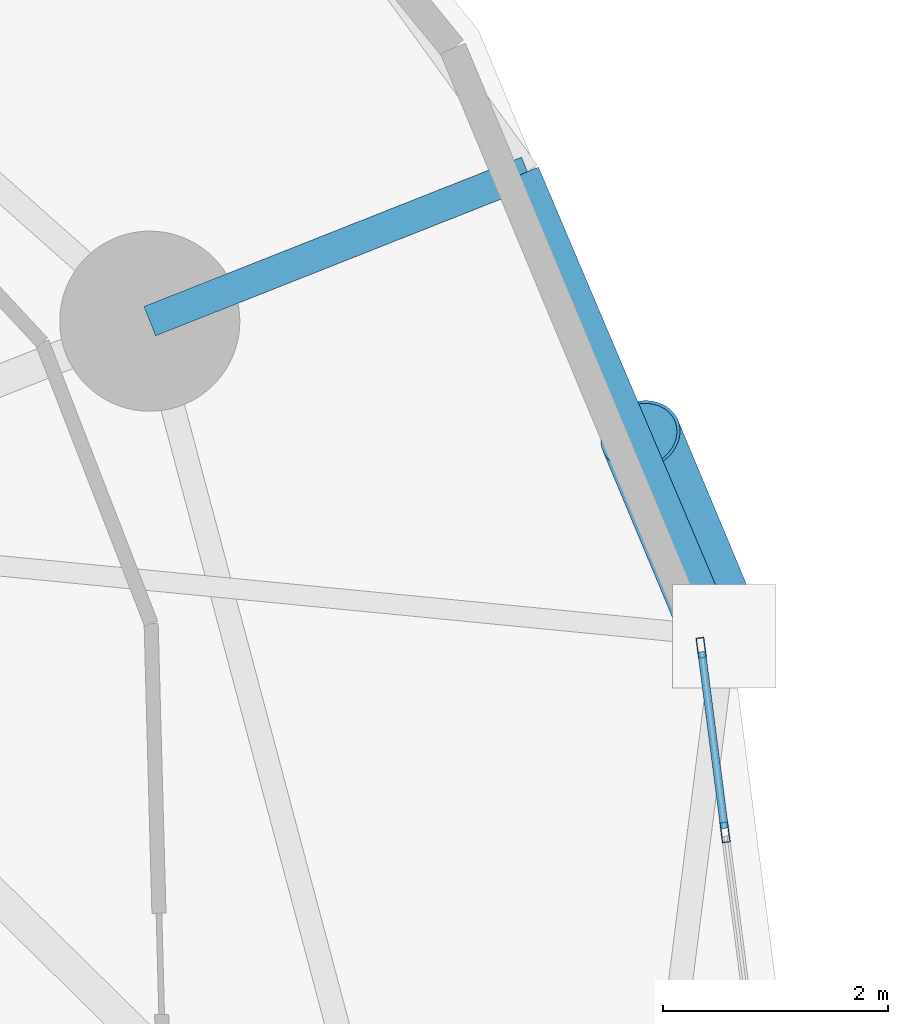
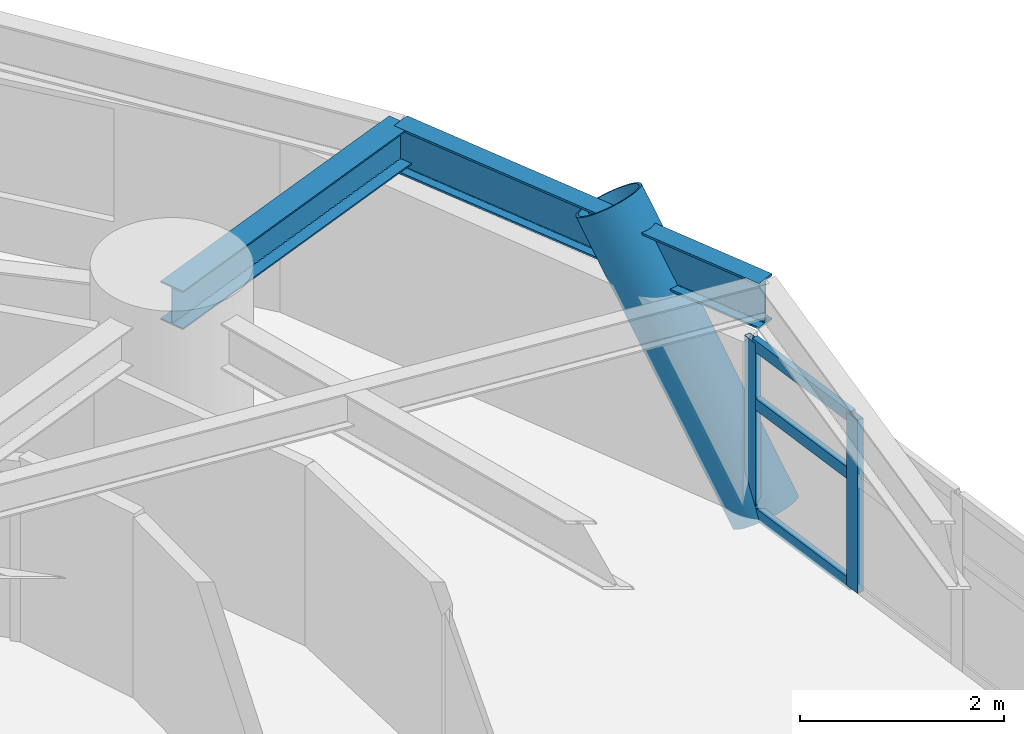
# One storey, part 4 of 20: 6 members, 2 beams, 1 element without a shape of its own.
"""IFC4 building model written with IfcOpenShell, lengths in metres."""

from ifc_helpers import new_model, si_unit, direction, frame, origin, origin_2d, place, context, subcontext, project, spatial, hollow_rectangle, hollow_circle, i_section, extrude, material, layer, layer_set, material_profile, profile_set, type_object, element, aggregate, save


model = new_model("IFC4")

# Units and contexts
model_context = context("Model", 3, precision=1e-05, world=origin(), true_north=direction((0.0, 1.0)))
body_context = subcontext(model_context, "Body", "Model", "MODEL_VIEW")
ifc_project = project(units=[si_unit("LENGTHUNIT", "METRE"), si_unit("AREAUNIT", "SQUARE_METRE"), si_unit("VOLUMEUNIT", "CUBIC_METRE"), si_unit("PLANEANGLEUNIT", "RADIAN"), si_unit("MASSUNIT", "GRAM", prefix="KILO")], contexts=[model_context])

# Site, building, storey
site_placement = place(None, origin())
site = spatial("IfcSite", under=ifc_project, at=site_placement, CompositionType="ELEMENT")
building_placement = place(site_placement, origin())
building = spatial("IfcBuilding", under=site, at=building_placement, Name="Cununo Teusaquillo Station Towers", CompositionType="ELEMENT")
storey_placement = place(building_placement, frame((0.0, 0.0, 39.4599609375)))
storey = spatial("IfcBuildingStorey", under=building, at=storey_placement, Name="L11", CompositionType="ELEMENT", Elevation=39.4599609375)

# Beams
ifc_material_1 = material(Name="Steel ASTM A572 Grade 50", Category="steel")
ifc_material_profile_1 = material_profile(ifc_material_1, i_section(OverallWidth=0.280029296875, OverallDepth=0.462890625, WebThickness=0.0107421875, FlangeThickness=0.017333984375, FilletRadius=0.013916015625, at=origin_2d()), Name="W18X76")
ifc_profile_set_1 = profile_set([ifc_material_profile_1], Name="Steel ASTM A572 Grade 50")
beam_type_1 = type_object("IfcBeamType", Name="BM-RAD-G1", PredefinedType="BEAM", material=ifc_profile_set_1)
beam_1_placement = place(storey_placement, frame((26.347412109375, 33.228515625, 2.41845703125), z_axis=(0.92986596044, 0.367898485476, 0.0), x_axis=(-0.367898485476, 0.92986596044, 0.0)))
element("IfcBeam", 1, at=beam_1_placement, inside=storey, type_object=beam_type_1, Name="L11 Tower A Perimeter Overhang Girder 02B", PredefinedType="BEAM", context=body_context, shape_type="SweptSolid", body=[
    extrude(i_section(OverallWidth=0.280029296875, OverallDepth=0.462890625, WebThickness=0.0107421875, FlangeThickness=0.017333984375, FilletRadius=0.013916015625, at=origin_2d()), origin(), (0.0, 0.0, 1.0), 3.606689453125),
])
ifc_material_2 = material(Name="Steel ASTM A572 Grade 50", Category="steel")
ifc_material_profile_2 = material_profile(ifc_material_2, i_section(OverallWidth=0.214111328125, OverallDepth=0.549072265625, WebThickness=0.0146484375, FlangeThickness=0.023681640625, FilletRadius=0.014892578125, at=origin_2d()), Name="W21X93")
ifc_profile_set_2 = profile_set([ifc_material_profile_2], Name="Steel ASTM A572 Grade 50")
beam_type_2 = type_object("IfcBeamType", Name="BM-RING-Z1", PredefinedType="SPANDREL", material=ifc_profile_set_2)
beam_2_placement = place(storey_placement, frame((31.44970703125, 30.429931640625, 2.37548828125), z_axis=(-0.390233589069, 0.920715887754, 0.0), x_axis=(-0.920715887754, -0.390233589069, 0.0)))
element("IfcBeam", 2, at=beam_2_placement, inside=storey, type_object=beam_type_2, Name="L11 Tower A Spandrel Ring Beam 02", PredefinedType="SPANDREL", context=body_context, shape_type="SweptSolid", body=[
    extrude(i_section(OverallWidth=0.214111328125, OverallDepth=0.549072265625, WebThickness=0.0146484375, FlangeThickness=0.023681640625, FilletRadius=0.014892578125, at=origin_2d()), origin(), (0.0, 0.0, 1.0), 4.480712890625),
])

# Curtain wall, members
ifc_material_3 = material(Name="Ceramic-fritted dark low-E double glazing", Category="glass")
ifc_layer = layer(ifc_material_3, 0.179931640625)
ifc_layer_set = layer_set([ifc_layer], Name="Ceramic-fritted dark low-E double glazing")
curtain_wall_type = type_object("IfcCurtainWallType", Name="CW-SYS-02", PredefinedType="USERDEFINED", material=ifc_layer_set)
curtain_wall_placement = place(storey_placement, origin())
curtain_wall = element("IfcCurtainWall", 3, at=curtain_wall_placement, inside=storey, type_object=curtain_wall_type, Name="L11 Tower A Facade Curtain Wall C00", ObjectType="FRITTED GLAZING", PredefinedType="USERDEFINED")
ifc_material_4 = material(Name="Anodised dark bronze aluminium EN AW-6063-T6", Category="aluminium")
ifc_material_profile_3 = material_profile(ifc_material_4, hollow_rectangle(XDim=0.070068359375, YDim=0.179931640625, WallThickness=0.00390625, at=origin_2d()), Name="CW-MULL-70x180")
ifc_profile_set_3 = profile_set([ifc_material_profile_3], Name="Anodised dark bronze aluminium EN AW-6063-T6")
member_type_1 = type_object("IfcMemberType", Name="CWM-180", PredefinedType="MULLION", material=ifc_profile_set_3)
member_1_placement = place(storey_placement, frame((31.244873046875, 30.327392578125, 0.0), z_axis=(0.0, 0.0, 1.0), x_axis=(0.991730798481, 0.128335588771, 0.0)))
member_1 = element("IfcMember", 4, at=member_1_placement, type_object=member_type_1, Name="CW-02 mullion 1", PredefinedType="MULLION", context=body_context, shape_type="SweptSolid", body=[
    extrude(hollow_rectangle(XDim=0.070068359375, YDim=0.179931640625, WallThickness=0.00390625, at=origin_2d()), origin(), (0.0, 0.0, 1.0), 2.072998046875),
])
member_2_placement = place(storey_placement, frame((31.456787109375, 28.68896484375, 0.0), z_axis=(0.0, 0.0, 1.0), x_axis=(0.991730798481, 0.128335588771, 0.0)))
member_2 = element("IfcMember", 5, at=member_2_placement, type_object=member_type_1, Name="CW-02 mullion 2", PredefinedType="MULLION", context=body_context, shape_type="SweptSolid", body=[
    extrude(hollow_rectangle(XDim=0.070068359375, YDim=0.179931640625, WallThickness=0.00390625, at=origin_2d()), origin(), (0.0, 0.0, 1.0), 2.072998046875),
])
ifc_material_5 = material(Name="Anodised dark bronze aluminium EN AW-6063-T6", Category="aluminium")
ifc_material_profile_4 = material_profile(ifc_material_5, hollow_rectangle(XDim=0.070068359375, YDim=0.139892578125, WallThickness=0.00390625, at=origin_2d()), Name="CW-TRAN-70x140")
ifc_profile_set_4 = profile_set([ifc_material_profile_4], Name="Anodised dark bronze aluminium EN AW-6063-T6")
member_type_2 = type_object("IfcMemberType", Name="CWT-140", PredefinedType="USERDEFINED", material=ifc_profile_set_4)
member_3_placement = place(storey_placement, frame((31.249267578125, 30.292724609375, 0.03515625), z_axis=(0.128402247984, -0.991722170123, 0.0), x_axis=(0.991722170123, 0.128402247984, 0.0)))
member_3 = element("IfcMember", 6, at=member_3_placement, type_object=member_type_2, Name="CW-02 transom 1.1", ObjectType="TRANSOM", PredefinedType="USERDEFINED", context=body_context, shape_type="SweptSolid", body=[
    extrude(hollow_rectangle(XDim=0.070068359375, YDim=0.139892578125, WallThickness=0.00390625, at=origin_2d()), origin(), (0.0, 0.0, 1.0), 1.58203125),
])
member_4_placement = place(storey_placement, frame((31.249267578125, 30.292724609375, 1.346923828125), z_axis=(0.128402247984, -0.991722170123, 0.0), x_axis=(0.991722170123, 0.128402247984, 0.0)))
member_4 = element("IfcMember", 7, at=member_4_placement, type_object=member_type_2, Name="CW-02 transom 1.2", ObjectType="TRANSOM", PredefinedType="USERDEFINED", context=body_context, shape_type="SweptSolid", body=[
    extrude(hollow_rectangle(XDim=0.070068359375, YDim=0.139892578125, WallThickness=0.00390625, at=origin_2d()), origin(), (0.0, 0.0, 1.0), 1.58203125),
])
member_5_placement = place(storey_placement, frame((31.249267578125, 30.292724609375, 2.0380859375), z_axis=(0.128402247984, -0.991722170123, 0.0), x_axis=(0.991722170123, 0.128402247984, 0.0)))
member_5 = element("IfcMember", 8, at=member_5_placement, type_object=member_type_2, Name="CW-02 transom 1.3", ObjectType="TRANSOM", PredefinedType="USERDEFINED", context=body_context, shape_type="SweptSolid", body=[
    extrude(hollow_rectangle(XDim=0.070068359375, YDim=0.139892578125, WallThickness=0.00390625, at=origin_2d()), origin(), (0.0, 0.0, 1.0), 1.58203125),
])
aggregate(curtain_wall, [member_1, member_2, member_3, member_4, member_5])

# Member
ifc_material_6 = material(Name="Steel EN 10025-2 S355J2", Category="steel")
ifc_material_profile_5 = material_profile(ifc_material_6, hollow_circle(Radius=0.360107421875, WallThickness=0.028076171875, at=origin_2d()), Name="CHS 720x28")
ifc_profile_set_5 = profile_set([ifc_material_profile_5], Name="Steel EN 10025-2 S355J2")
member_type_3 = type_object("IfcMemberType", Name="MBR-DIAG-Z1", PredefinedType="BRACE", material=ifc_profile_set_5)
member_6_placement = place(storey_placement, frame((31.44970703125, 30.429931640625, -0.139892578125), z_axis=(-0.213103546094, 0.510497966767, 0.833053842539), x_axis=(-0.922822536657, -0.385225344231, 0.0)))
element("IfcMember", 9, at=member_6_placement, inside=storey, type_object=member_type_3, Name="L11 Tower A Folded-Zigzag Diagrid Tube C01", PredefinedType="BRACE", context=body_context, shape_type="SweptSolid", body=[
    extrude(hollow_circle(Radius=0.360107421875, WallThickness=0.028076171875, at=origin_2d()), origin(), (0.0, 0.0, 1.0), 3.4931640625),
])

save(model, "model.ifc")
